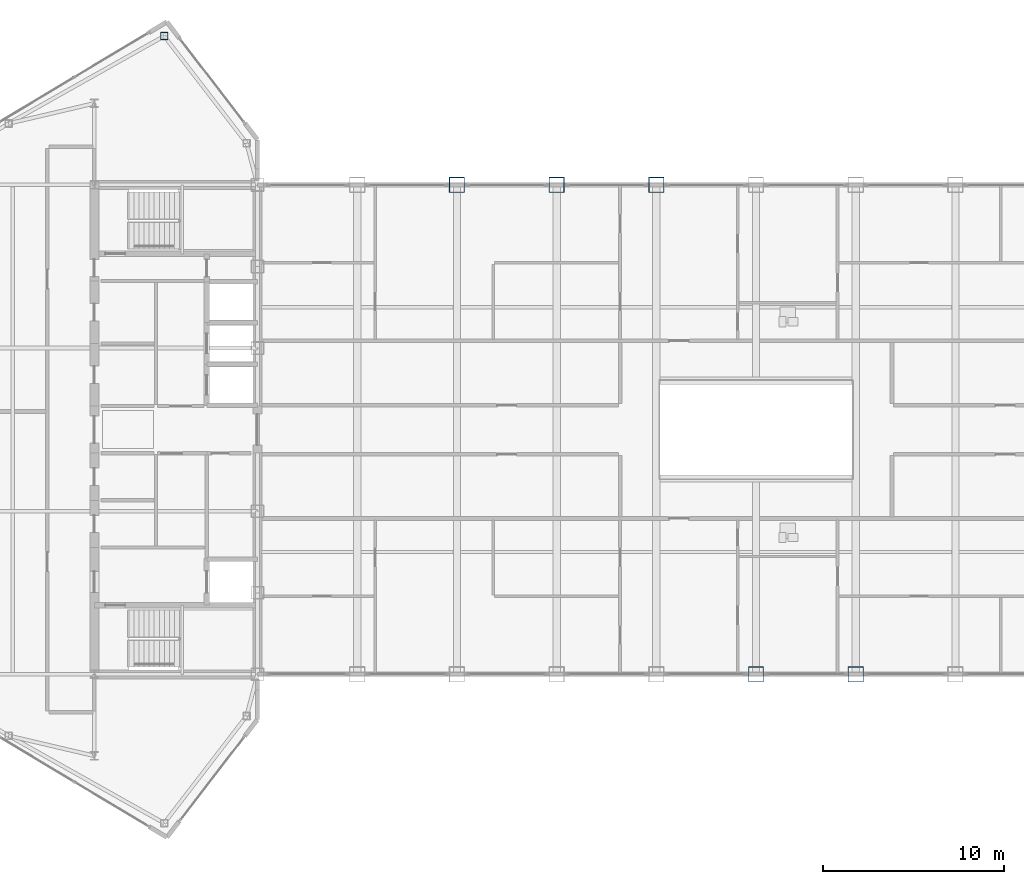
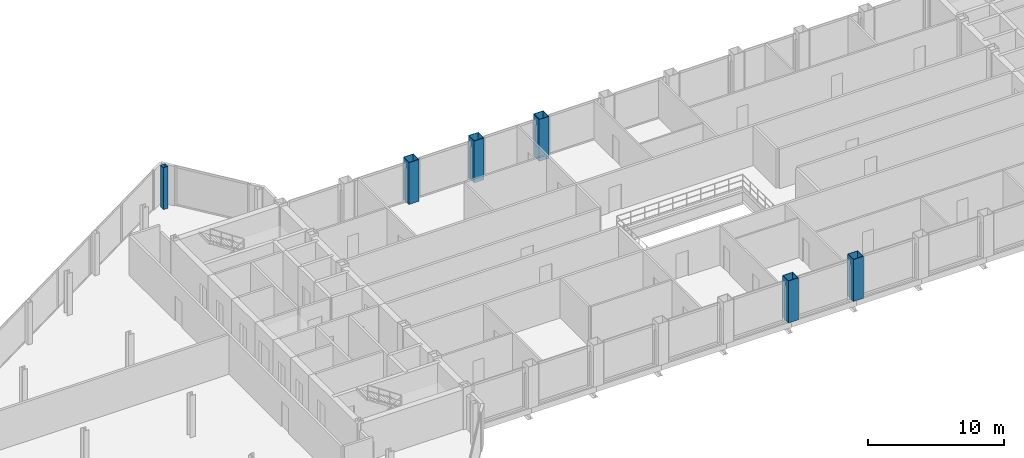
# One storey, part 3 of 29: 6 columns.
"""IFC4 building model written with IfcOpenShell, lengths in metres."""

from ifc_helpers import new_model, si_unit, direction, frame, origin, origin_2d, place, context, subcontext, project, spatial, hollow_rectangle, extrude, source, transform, mapped, material, material_profile, profile_set, type_object, type_shapes, element, save


model = new_model("IFC4")

# Units and contexts
model_context = context("Model", 3, precision=1e-05, world=origin(), true_north=direction((0.0, 1.0)))
body_context = subcontext(model_context, "Body", "Model", "MODEL_VIEW")
ifc_project = project(units=[si_unit("LENGTHUNIT", "METRE"), si_unit("AREAUNIT", "SQUARE_METRE"), si_unit("VOLUMEUNIT", "CUBIC_METRE"), si_unit("PLANEANGLEUNIT", "RADIAN"), si_unit("MASSUNIT", "GRAM", prefix="KILO")], contexts=[model_context])

# Site, building, storey
site_placement = place(None, origin())
site = spatial("IfcSite", under=ifc_project, at=site_placement, CompositionType="ELEMENT")
building_placement = place(site_placement, origin())
building = spatial("IfcBuilding", under=site, at=building_placement, Name="Seokmaru Belvedere", CompositionType="ELEMENT")
storey_placement = place(building_placement, frame((0.0, 0.0, 258.14990234375)))
storey = spatial("IfcBuildingStorey", under=building, at=storey_placement, Name="L68", CompositionType="ELEMENT", Elevation=258.14990234375)

# Columns
ifc_material_1 = material(Name="Steel SM355 (355 MPa)", Category="steel")
ifc_material_profile_1 = material_profile(ifc_material_1, hollow_rectangle(XDim=0.39990234375, YDim=0.39990234375, WallThickness=0.01611328125, at=origin_2d()), Name="HSS-400x400x16")
ifc_profile_set_1 = profile_set([ifc_material_profile_1], Name="Steel SM355 (355 MPa)")
column_type_1 = type_object("IfcColumnType", Name="Perimeter Facet Column HSS-400", PredefinedType="COLUMN", material=ifc_profile_set_1)
shared_shape_1 = source(origin(), body_context, "Body", "SweptSolid", [
    extrude(hollow_rectangle(XDim=0.39990234375, YDim=0.39990234375, WallThickness=0.01611328125, at=origin_2d()), origin(), (0.0, 0.0, 1.0), 3.75),
])
type_shapes(column_type_1, [shared_shape_1])
column_placement = place(storey_placement, frame((-32.649658203125, 21.71044921875, 0.0), z_axis=(0.0, 0.0, 1.0), x_axis=(1.0, 0.0, 0.0)))
element("IfcColumn", 1, at=column_placement, inside=storey, type_object=column_type_1, Name="L68 Column WF3", PredefinedType="COLUMN", context=body_context, shape_type="MappedRepresentation", body=[
    mapped(shared_shape_1, transform((0.0, 0.0, 0.0), scale=1.0)),
])
ifc_material_2 = material(Name="Steel HSA650 (650 MPa)", Category="steel")
ifc_material_profile_2 = material_profile(ifc_material_2, hollow_rectangle(XDim=0.85009765625, YDim=0.85009765625, WallThickness=0.035888671875, at=origin_2d()), Name="BOX-850x850x36")
ifc_profile_set_2 = profile_set([ifc_material_profile_2], Name="Steel HSA650 (650 MPa)")
column_type_2 = type_object("IfcColumnType", Name="Portal Spine Column BOX-850", PredefinedType="COLUMN", material=ifc_profile_set_2)
shared_shape_2 = source(origin(), body_context, "Body", "SweptSolid", [
    extrude(hollow_rectangle(XDim=0.85009765625, YDim=0.85009765625, WallThickness=0.035888671875, at=origin_2d()), origin(), (0.0, 0.0, 1.0), 3.75),
])
type_shapes(column_type_2, [shared_shape_2])
for number, where, z_axis, x_axis, name in (
    (2, (-16.5, 13.5, 0.0), (0.0, 0.0, 1.0), (1.0, 0.0, 0.0), "L68 Column BRN_2"),
    (3, (-11.0, 13.5, 0.0), (0.0, 0.0, 1.0), (1.0, 0.0, 0.0), "L68 Column BRN_3"),
    (4, (-5.5, 13.5, 0.0), (0.0, 0.0, 1.0), (1.0, 0.0, 0.0), "L68 Column BRN_4"),
    (5, (0.0, -13.5, 0.0), (0.0, 0.0, 1.0), (1.0, 0.0, 0.0), "L68 Column BRS_5"),
    (6, (5.5, -13.5, 0.0), (0.0, 0.0, 1.0), (1.0, 0.0, 0.0), "L68 Column BRS_6"),
):
    element("IfcColumn", number, at=place(storey_placement, frame(where, z_axis=z_axis, x_axis=x_axis)), inside=storey, type_object=column_type_2, Name=name, PredefinedType="COLUMN", context=body_context, shape_type="MappedRepresentation", body=[
        mapped(shared_shape_2, transform((0.0, 0.0, 0.0), scale=1.0)),
    ])

save(model, "model.ifc")
